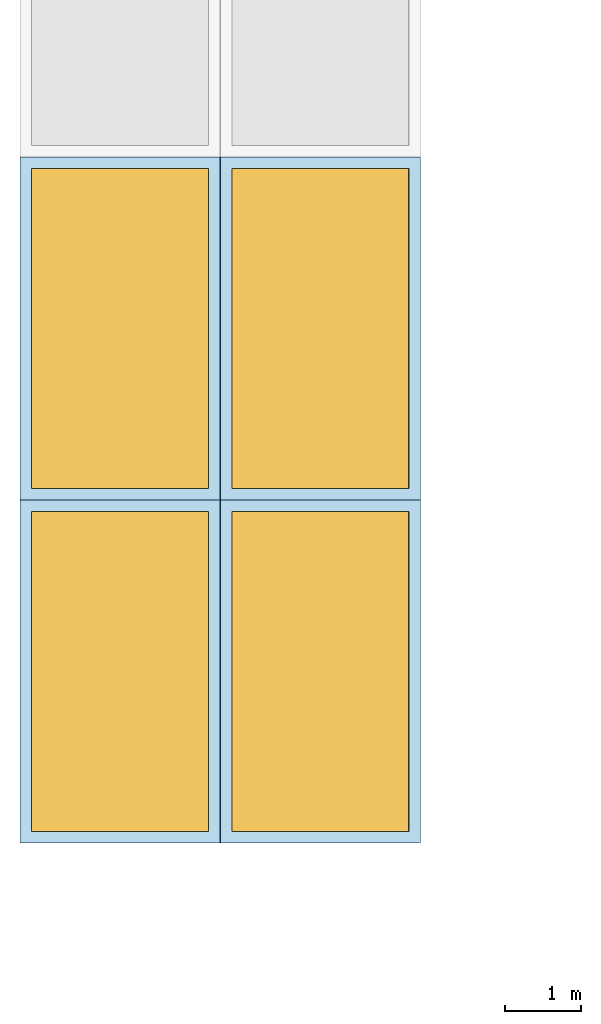
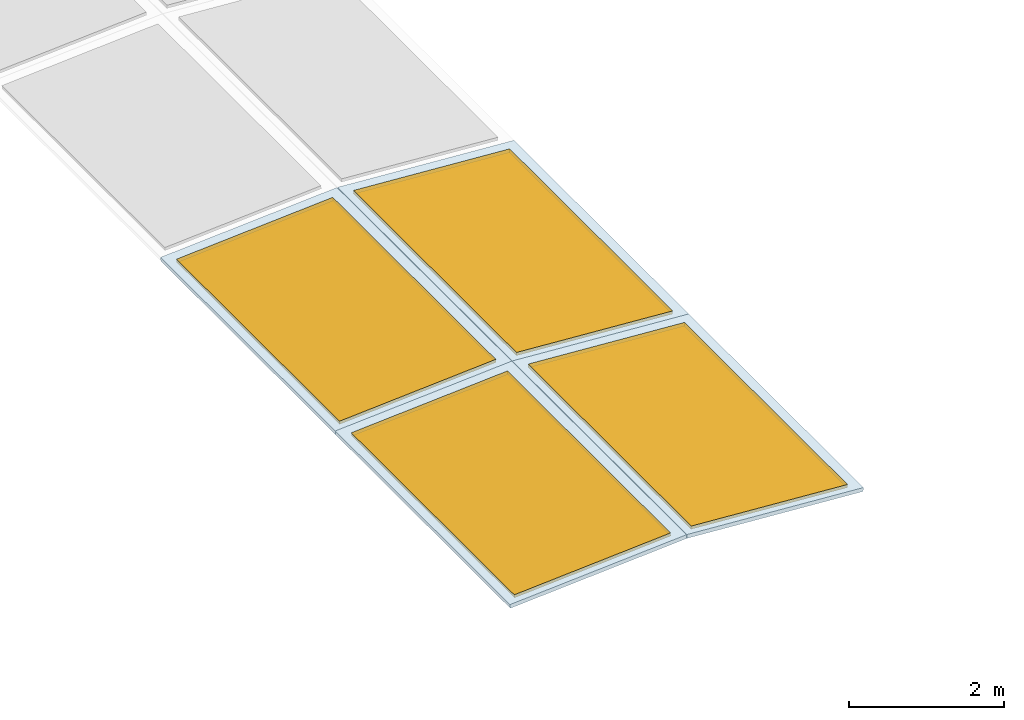
# One storey, part 7 of 19: 4 slabs, 4 windows, 4 openings.
"""IFC4 building model written with IfcOpenShell, lengths in metres."""

from ifc_helpers import new_model, si_unit, direction, frame, origin, origin_2d, place, context, subcontext, project, spatial, polyline, rectangle, outline, extrude, material, layer, layer_set, type_object, element, fill, save


model = new_model("IFC4")

# Units and contexts
model_context = context("Model", 3, precision=1e-05, world=origin(), true_north=direction((0.0, 1.0)))
body_context = subcontext(model_context, "Body", "Model", "MODEL_VIEW")
ifc_project = project(units=[si_unit("LENGTHUNIT", "METRE"), si_unit("AREAUNIT", "SQUARE_METRE"), si_unit("VOLUMEUNIT", "CUBIC_METRE"), si_unit("PLANEANGLEUNIT", "RADIAN"), si_unit("MASSUNIT", "GRAM", prefix="KILO")], contexts=[model_context])

# Site, building, storey
site_placement = place(None, origin())
site = spatial("IfcSite", under=ifc_project, at=site_placement, CompositionType="ELEMENT")
building_placement = place(site_placement, origin())
building = spatial("IfcBuilding", under=site, at=building_placement, Name="Guidao Yard Department Store", CompositionType="ELEMENT")
storey_placement = place(building_placement, frame((0.0, 0.0, 33.0)))
storey = spatial("IfcBuildingStorey", under=building, at=storey_placement, Name="L07", CompositionType="ELEMENT", Elevation=33.0)

# Slab, opening, window
ifc_material_1 = material(Name="Aluminium 6063-T5", Category="aluminium")
ifc_layer = layer(ifc_material_1, 0.06005859375)
ifc_layer_set = layer_set([ifc_layer], Name="Smoke vent frame SV2 aluminium")
slab_type = type_object("IfcSlabType", Name="Smoke vent frame SV2 aluminium", PredefinedType="ROOF", material=ifc_layer_set)
slab_1_placement = place(storey_placement, frame((28.873046875, 54.0, 1.9853515625), z_axis=(-0.068349512992, 0.0, 0.9976614376), x_axis=(0.9976614376, 0.0, 0.068349512992)))
slab_1 = element("IfcSlab", 1, at=slab_1_placement, inside=storey, type_object=slab_type, Name="Smoke vent frame A01-06A", PredefinedType="ROOF", context=body_context, shape_type="SweptSolid", body=[
    extrude(outline(polyline([(0.0, 0.0), (2.628950699633074, 0.0), (2.628950699633074, 4.499999999999999), (0.0, 4.499999999999999), (0.0, 0.0)])), origin(), (0.0, 0.0, -1.0), 0.06005859375),
])
opening_1_placement = place(slab_1_placement, frame((1.314697265625, 2.25, 0.0)))
opening_1 = element("IfcOpeningElement", 2, at=opening_1_placement, cuts=slab_1, Name="Opening SW-A01-06A", PredefinedType="OPENING", context=body_context, shape_type="SweptSolid", body=[
    extrude(rectangle(XDim=2.3291015625, YDim=4.199951171875, at=origin_2d()), frame((0.0, 0.0, 0.010009765625)), (0.0, 0.0, -1.0), 0.080078125),
])
ifc_material_2 = material(Name="Laminated glass in Aluminium 6063-T5 frame", Category="aluminium")
window_type = type_object("IfcWindowType", Name="Smoke vent SV2 operable skylight", PartitioningType="SINGLE_PANEL", PredefinedType="SKYLIGHT", material=ifc_material_2)
window_1_placement = place(opening_1_placement, frame((0.0, 0.0, -0.050048828125)))
window_1 = element("IfcWindow", 3, at=window_1_placement, inside=storey, type_object=window_type, Name="Smoke vent A01-06A", OverallHeight=4.199951171875, OverallWidth=2.3291015625, PartitioningType="SINGLE_PANEL", PredefinedType="SKYLIGHT", context=body_context, shape_type="SweptSolid", body=[
    extrude(rectangle(XDim=2.3291015625, YDim=4.199951171875, at=origin_2d()), origin(), (0.0, 0.0, 1.0), 0.050048828125),
])
fill(opening_1, window_1)

slab_2_placement = place(storey_placement, frame((28.873046875, 58.5, 1.9853515625), z_axis=(-0.068349512992, 0.0, 0.9976614376), x_axis=(0.9976614376, 0.0, 0.068349512992)))
slab_2 = element("IfcSlab", 4, at=slab_2_placement, inside=storey, type_object=slab_type, Name="Smoke vent frame A01-06B", PredefinedType="ROOF", context=body_context, shape_type="SweptSolid", body=[
    extrude(outline(polyline([(0.0, 0.0), (2.628950699633074, 0.0), (2.628950699633074, 4.499999999999999), (0.0, 4.499999999999999), (0.0, 0.0)])), origin(), (0.0, 0.0, -1.0), 0.06005859375),
])
opening_2_placement = place(slab_2_placement, frame((1.314697265625, 2.25, 0.0)))
opening_2 = element("IfcOpeningElement", 5, at=opening_2_placement, cuts=slab_2, Name="Opening SW-A01-06B", PredefinedType="OPENING", context=body_context, shape_type="SweptSolid", body=[
    extrude(rectangle(XDim=2.3291015625, YDim=4.199951171875, at=origin_2d()), frame((0.0, 0.0, 0.010009765625)), (0.0, 0.0, -1.0), 0.080078125),
])
window_2_placement = place(opening_2_placement, frame((0.0, 0.0, -0.050048828125)))
window_2 = element("IfcWindow", 6, at=window_2_placement, inside=storey, type_object=window_type, Name="Smoke vent A01-06B", OverallHeight=4.199951171875, OverallWidth=2.3291015625, PartitioningType="SINGLE_PANEL", PredefinedType="SKYLIGHT", context=body_context, shape_type="SweptSolid", body=[
    extrude(rectangle(XDim=2.3291015625, YDim=4.199951171875, at=origin_2d()), origin(), (0.0, 0.0, 1.0), 0.050048828125),
])
fill(opening_2, window_2)

slab_3_placement = place(storey_placement, frame((31.504150390625, 54.0, 2.1650390625), z_axis=(0.068349512992, 0.0, 0.9976614376), x_axis=(0.9976614376, 0.0, -0.068349512992)))
slab_3 = element("IfcSlab", 7, at=slab_3_placement, inside=storey, type_object=slab_type, Name="Smoke vent frame A01-07A", PredefinedType="ROOF", context=body_context, shape_type="SweptSolid", body=[
    extrude(outline(polyline([(0.0, 0.0), (2.628950699633074, 0.0), (2.628950699633074, 4.499999999999999), (0.0, 4.499999999999999), (0.0, 0.0)])), origin(), (0.0, 0.0, -1.0), 0.06005859375),
])
opening_3_placement = place(slab_3_placement, frame((1.314697265625, 2.25, 0.0)))
opening_3 = element("IfcOpeningElement", 8, at=opening_3_placement, cuts=slab_3, Name="Opening SW-A01-07A", PredefinedType="OPENING", context=body_context, shape_type="SweptSolid", body=[
    extrude(rectangle(XDim=2.3291015625, YDim=4.199951171875, at=origin_2d()), frame((0.0, 0.0, 0.010009765625)), (0.0, 0.0, -1.0), 0.080078125),
])
window_3_placement = place(opening_3_placement, frame((0.0, 0.0, -0.050048828125)))
window_3 = element("IfcWindow", 9, at=window_3_placement, inside=storey, type_object=window_type, Name="Smoke vent A01-07A", OverallHeight=4.199951171875, OverallWidth=2.3291015625, PartitioningType="SINGLE_PANEL", PredefinedType="SKYLIGHT", context=body_context, shape_type="SweptSolid", body=[
    extrude(rectangle(XDim=2.3291015625, YDim=4.199951171875, at=origin_2d()), origin(), (0.0, 0.0, 1.0), 0.050048828125),
])
fill(opening_3, window_3)

slab_4_placement = place(storey_placement, frame((31.504150390625, 58.5, 2.1650390625), z_axis=(0.068349512992, 0.0, 0.9976614376), x_axis=(0.9976614376, 0.0, -0.068349512992)))
slab_4 = element("IfcSlab", 10, at=slab_4_placement, inside=storey, type_object=slab_type, Name="Smoke vent frame A01-07B", PredefinedType="ROOF", context=body_context, shape_type="SweptSolid", body=[
    extrude(outline(polyline([(0.0, 0.0), (2.628950699633074, 0.0), (2.628950699633074, 4.499999999999999), (0.0, 4.499999999999999), (0.0, 0.0)])), origin(), (0.0, 0.0, -1.0), 0.06005859375),
])
opening_4_placement = place(slab_4_placement, frame((1.314697265625, 2.25, 0.0)))
opening_4 = element("IfcOpeningElement", 11, at=opening_4_placement, cuts=slab_4, Name="Opening SW-A01-07B", PredefinedType="OPENING", context=body_context, shape_type="SweptSolid", body=[
    extrude(rectangle(XDim=2.3291015625, YDim=4.199951171875, at=origin_2d()), frame((0.0, 0.0, 0.010009765625)), (0.0, 0.0, -1.0), 0.080078125),
])
window_4_placement = place(opening_4_placement, frame((0.0, 0.0, -0.050048828125)))
window_4 = element("IfcWindow", 12, at=window_4_placement, inside=storey, type_object=window_type, Name="Smoke vent A01-07B", OverallHeight=4.199951171875, OverallWidth=2.3291015625, PartitioningType="SINGLE_PANEL", PredefinedType="SKYLIGHT", context=body_context, shape_type="SweptSolid", body=[
    extrude(rectangle(XDim=2.3291015625, YDim=4.199951171875, at=origin_2d()), origin(), (0.0, 0.0, 1.0), 0.050048828125),
])
fill(opening_4, window_4)

save(model, "model.ifc")
